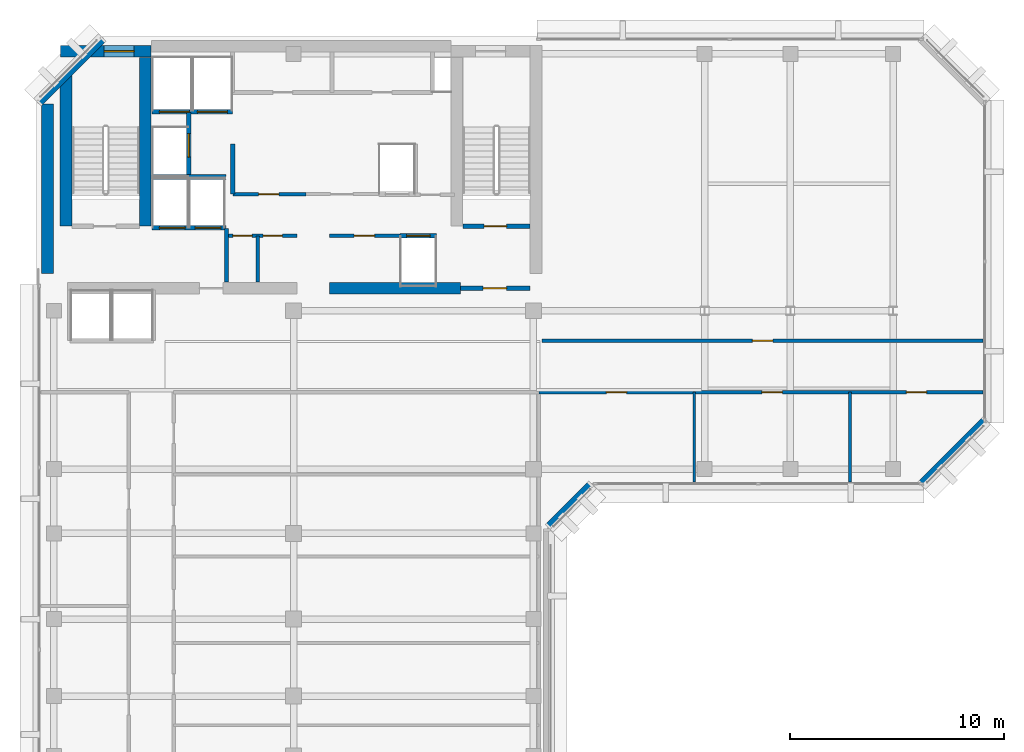
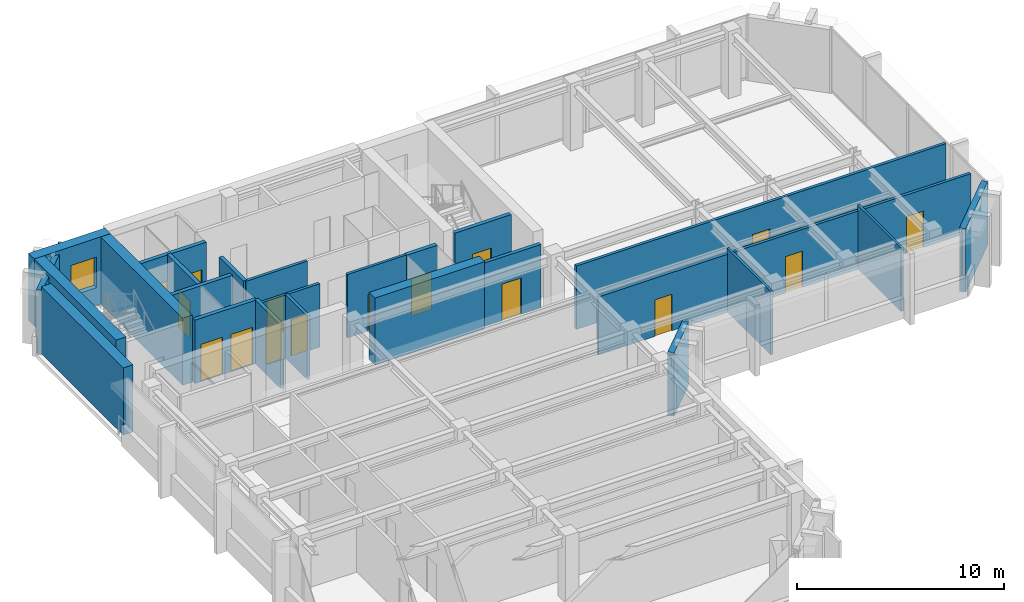
# One storey, part 7 of 11: 25 walls, 16 doors, 1 window, 17 openings.
"""IFC4 building model written with IfcOpenShell, lengths in metres."""

from ifc_helpers import new_model, si_unit, direction, frame, frame_2d, origin, place, context, subcontext, project, spatial, rectangle, extrude, material, layer, layer_set, type_object, element, fill, save


model = new_model("IFC4")

# Units and contexts
model_context = context("Model", 3, precision=1e-05, world=origin(), true_north=direction((0.0, 1.0)))
body_context = subcontext(model_context, "Body", "Model", "MODEL_VIEW")
ifc_project = project(units=[si_unit("LENGTHUNIT", "METRE"), si_unit("AREAUNIT", "SQUARE_METRE"), si_unit("VOLUMEUNIT", "CUBIC_METRE"), si_unit("PLANEANGLEUNIT", "RADIAN"), si_unit("MASSUNIT", "GRAM", prefix="KILO")], contexts=[model_context])

# Site, building, storey
site_placement = place(None, origin())
site = spatial("IfcSite", under=ifc_project, at=site_placement, CompositionType="ELEMENT")
building_placement = place(site_placement, origin())
building = spatial("IfcBuilding", under=site, at=building_placement, Name="Kefirva Bronze Tower", CompositionType="ELEMENT")
storey_placement = place(building_placement, frame((0.0, 0.0, 331.64990234375)))
storey = spatial("IfcBuildingStorey", under=building, at=storey_placement, Name="L81", CompositionType="ELEMENT", Elevation=331.64990234375)

# Walls
ifc_material_1 = material(Name="Gypsum acoustic partition")
ifc_layer_1 = layer(ifc_material_1, 0.1298828125, Name="Gypsum acoustic partition")
ifc_layer_set_1 = layer_set([ifc_layer_1], Name="Gypsum acoustic partition")
wall_type_1 = type_object("IfcWallType", Name="Acoustic Office Partition 130mm", PredefinedType="PARTITIONING", material=ifc_layer_set_1)
for number, where, z_axis, x_axis, name in (
    (1, (30.716064453125, 25.18994140625, 0.0), (0.0, 0.0, 1.0), (0.0, 1.0, 0.0), "L81 Partition W-L81-ESD1"),
    (2, (37.98193359375, 25.18994140625, 0.0), (0.0, 0.0, 1.0), (0.0, 1.0, 0.0), "L81 Partition W-L81-ESD2"),
):
    element("IfcWall", number, at=place(storey_placement, frame(where, z_axis=z_axis, x_axis=x_axis)), inside=storey, type_object=wall_type_1, Name=name, PredefinedType="PARTITIONING", context=body_context, shape_type="SweptSolid", body=[
        extrude(rectangle(XDim=4.2099609375, YDim=0.1298828125, at=frame_2d((2.10498046875, 0.0))), origin(), (0.0, 0.0, 1.0), 3.739990234375),
    ])

# Wall, opening, door
ifc_layer_2 = layer(ifc_material_1, 0.14990234375, Name="Gypsum acoustic partition")
ifc_layer_set_2 = layer_set([ifc_layer_2], Name="Gypsum acoustic partition")
wall_type_2 = type_object("IfcWallType", Name="Executive Suite Partition 150mm", PredefinedType="PARTITIONING", material=ifc_layer_set_2)
wall_1_placement = place(storey_placement, frame((13.679931640625, 36.699951171875, 0.0), z_axis=(0.0, 0.0, 1.0), x_axis=(1.0, 0.0, 0.0)))
wall_1 = element("IfcWall", 3, at=wall_1_placement, inside=storey, type_object=wall_type_2, Name="L81 Partition W-L81-RECMP1", PredefinedType="PARTITIONING", context=body_context, shape_type="SweptSolid", body=[
    extrude(rectangle(XDim=3.280029296875, YDim=0.14990234375, at=frame_2d((1.64013671875, 0.0))), origin(), (0.0, 0.0, 1.0), 3.739990234375),
])
opening_1_placement = place(wall_1_placement, frame((1.14990234375, 0.0, 0.0)))
opening_1 = element("IfcOpeningElement", 4, at=opening_1_placement, cuts=wall_1, Name="Opening L81-D-RECMP1", PredefinedType="OPENING", context=body_context, shape_type="SweptSolid", body=[
    extrude(rectangle(XDim=0.949951171875, YDim=2.14990234375, at=frame_2d((0.47509765625, 1.074951171875))), frame((0.0, 0.0849609375, 0.0), z_axis=(0.0, -1.0, 0.0), x_axis=(1.0, 0.0, 0.0)), (0.0, 0.0, 1.0), 0.169921875),
])
ifc_material_2 = material(Name="Acoustic hardwood oak", Category="wood")
door_type_1 = type_object("IfcDoorType", Name="Office & Meeting Room Door 950x2150", OperationType="NOTDEFINED", PredefinedType="DOOR", material=ifc_material_2)
door_1_placement = place(opening_1_placement, origin())
door_1 = element("IfcDoor", 5, at=door_1_placement, inside=storey, type_object=door_type_1, Name="Door L81-D-RECMP1", OperationType="SINGLE_SWING_LEFT", OverallHeight=2.14990234375, OverallWidth=0.949951171875, PredefinedType="DOOR", context=body_context, shape_type="SweptSolid", body=[
    extrude(rectangle(XDim=0.949951171875, YDim=2.14990234375, at=frame_2d((0.47509765625, 1.074951171875))), frame((0.0, 0.02490234375, 0.0), z_axis=(0.0, -1.0, 0.0), x_axis=(1.0, 0.0, 0.0)), (0.0, 0.0, 1.0), 0.050048828125),
])
fill(opening_1, door_1)

ifc_material_3 = material(Name="Gypsum fireboard shaftwall")
ifc_layer_3 = layer(ifc_material_3, 0.219970703125, Name="Gypsum fireboard shaftwall")
ifc_layer_set_3 = layer_set([ifc_layer_3], Name="Gypsum fireboard shaftwall")
wall_type_3 = type_object("IfcWallType", Name="Fire-Rated Shaft Enclosure Wall 220mm", PredefinedType="PARTITIONING", material=ifc_layer_set_3)
wall_2_placement = place(storey_placement, frame((19.89990234375, 37.14990234375, 0.0), z_axis=(0.0, 0.0, 1.0), x_axis=(1.0, 0.0, 0.0)))
wall_2 = element("IfcWall", 6, at=wall_2_placement, inside=storey, type_object=wall_type_3, Name="L81 Partition W-L81-ST2S", PredefinedType="PARTITIONING", context=body_context, shape_type="SweptSolid", body=[
    extrude(rectangle(XDim=3.150146484375, YDim=0.219970703125, at=frame_2d((1.5751953125, 0.0))), origin(), (0.0, 0.0, 1.0), 3.739990234375),
])
opening_2_placement = place(wall_2_placement, frame((2.050048828125, 0.0, 0.0), z_axis=(0.0, 0.0, 1.0), x_axis=(-1.0, 0.0, 0.0)))
opening_2 = element("IfcOpeningElement", 7, at=opening_2_placement, cuts=wall_2, Name="Opening L81-D003", PredefinedType="OPENING", context=body_context, shape_type="SweptSolid", body=[
    extrude(rectangle(XDim=1.050048828125, YDim=2.14990234375, at=frame_2d((0.52490234375, 1.074951171875))), frame((0.0, 0.1201171875, 0.0), z_axis=(0.0, -1.0, 0.0), x_axis=(1.0, 0.0, 0.0)), (0.0, 0.0, 1.0), 0.239990234375),
])
ifc_material_4 = material(Name="Painted galvanized steel", Category="steel")
door_type_2 = type_object("IfcDoorType", Name="Fire Stair Enclosure Door 1050x2150 FD90S", OperationType="NOTDEFINED", PredefinedType="DOOR", material=ifc_material_4)
door_2_placement = place(opening_2_placement, origin())
door_2 = element("IfcDoor", 8, at=door_2_placement, inside=storey, type_object=door_type_2, Name="Door L81-D003", OperationType="SINGLE_SWING_LEFT", OverallHeight=2.14990234375, OverallWidth=1.050048828125, PredefinedType="DOOR", context=body_context, shape_type="SweptSolid", body=[
    extrude(rectangle(XDim=1.050048828125, YDim=2.14990234375, at=frame_2d((0.52490234375, 1.074951171875))), frame((0.0, 0.02490234375, 0.0), z_axis=(0.0, -1.0, 0.0), x_axis=(1.0, 0.0, 0.0)), (0.0, 0.0, 1.0), 0.050048828125),
])
fill(opening_2, door_2)

# Wall, openings, doors
wall_3_placement = place(storey_placement, frame((5.3798828125, 37.080078125, 0.0), z_axis=(0.0, 0.0, 1.0), x_axis=(1.0, 0.0, 0.0)))
wall_3 = element("IfcWall", 9, at=wall_3_placement, inside=storey, type_object=wall_type_3, Name="L81 Partition W-L81-FFS", PredefinedType="PARTITIONING", context=body_context, shape_type="SweptSolid", body=[
    extrude(rectangle(XDim=3.460205078125, YDim=0.219970703125, at=frame_2d((1.72998046875, 0.0))), origin(), (0.0, 0.0, 1.0), 3.739990234375),
])
opening_3_placement = place(wall_3_placement, frame((1.550048828125, 0.0, 0.0), z_axis=(0.0, 0.0, 1.0), x_axis=(-1.0, 0.0, 0.0)))
opening_3 = element("IfcOpeningElement", 10, at=opening_3_placement, cuts=wall_3, Name="Opening L81-LD-FF1", PredefinedType="OPENING", context=body_context, shape_type="SweptSolid", body=[
    extrude(rectangle(XDim=1.199951171875, YDim=2.199951171875, at=frame_2d((0.60009765625, 1.10009765625))), frame((0.0, 0.1201171875, 0.0), z_axis=(0.0, -1.0, 0.0), x_axis=(1.0, 0.0, 0.0)), (0.0, 0.0, 1.0), 0.239990234375),
])
opening_4_placement = place(wall_3_placement, frame((3.219970703125, 0.0, 0.0), z_axis=(0.0, 0.0, 1.0), x_axis=(-1.0, 0.0, 0.0)))
opening_4 = element("IfcOpeningElement", 11, at=opening_4_placement, cuts=wall_3, Name="Opening L81-LD-FF2", PredefinedType="OPENING", context=body_context, shape_type="SweptSolid", body=[
    extrude(rectangle(XDim=1.199951171875, YDim=2.199951171875, at=frame_2d((0.60009765625, 1.10009765625))), frame((0.0, 0.1201171875, 0.0), z_axis=(0.0, -1.0, 0.0), x_axis=(1.0, 0.0, 0.0)), (0.0, 0.0, 1.0), 0.239990234375),
])
ifc_material_5 = material(Name="Stainless steel 316", Category="steel")
door_type_3 = type_object("IfcDoorType", Name="Firefighting Lift Sliding Door 1200x2200", OperationType="SLIDING_TO_RIGHT", PredefinedType="DOOR", material=ifc_material_5)
door_3_placement = place(opening_3_placement, origin())
door_3 = element("IfcDoor", 12, at=door_3_placement, inside=storey, type_object=door_type_3, Name="Door L81-LD-FF1", OperationType="SLIDING_TO_RIGHT", OverallHeight=2.199951171875, OverallWidth=1.199951171875, PredefinedType="DOOR", context=body_context, shape_type="SweptSolid", body=[
    extrude(rectangle(XDim=1.199951171875, YDim=2.199951171875, at=frame_2d((0.60009765625, 1.10009765625))), frame((0.0, 0.02490234375, 0.0), z_axis=(0.0, -1.0, 0.0), x_axis=(1.0, 0.0, 0.0)), (0.0, 0.0, 1.0), 0.050048828125),
])
fill(opening_3, door_3)
door_4_placement = place(opening_4_placement, origin())
door_4 = element("IfcDoor", 13, at=door_4_placement, inside=storey, type_object=door_type_3, Name="Door L81-LD-FF2", OperationType="SLIDING_TO_RIGHT", OverallHeight=2.199951171875, OverallWidth=1.199951171875, PredefinedType="DOOR", context=body_context, shape_type="SweptSolid", body=[
    extrude(rectangle(XDim=1.199951171875, YDim=2.199951171875, at=frame_2d((0.60009765625, 1.10009765625))), frame((0.0, 0.02490234375, 0.0), z_axis=(0.0, -1.0, 0.0), x_axis=(1.0, 0.0, 0.0)), (0.0, 0.0, 1.0), 0.050048828125),
])
fill(opening_4, door_4)

# Wall
wall_4_placement = place(storey_placement, frame((5.3798828125, 39.449951171875, 0.0), z_axis=(0.0, 0.0, 1.0), x_axis=(1.0, 0.0, 0.0)))
element("IfcWall", 14, at=wall_4_placement, inside=storey, type_object=wall_type_3, Name="L81 Partition W-L81-FFN", PredefinedType="PARTITIONING", context=body_context, shape_type="SweptSolid", body=[
    extrude(rectangle(XDim=3.460205078125, YDim=0.219970703125, at=frame_2d((1.72998046875, 0.0))), origin(), (0.0, 0.0, 1.0), 3.739990234375),
])

# Wall, openings, doors
wall_5_placement = place(storey_placement, frame((5.3798828125, 42.5, 0.0), z_axis=(0.0, 0.0, 1.0), x_axis=(1.0, 0.0, 0.0)))
wall_5 = element("IfcWall", 15, at=wall_5_placement, inside=storey, type_object=wall_type_3, Name="L81 Partition W-L81-SVS", PredefinedType="PARTITIONING", context=body_context, shape_type="SweptSolid", body=[
    extrude(rectangle(XDim=3.77001953125, YDim=0.219970703125, at=frame_2d((1.885009765625, 0.0))), origin(), (0.0, 0.0, 1.0), 3.739990234375),
])
opening_5_placement = place(wall_5_placement, frame((1.75, 0.0, 0.0), z_axis=(0.0, 0.0, 1.0), x_axis=(-1.0, 0.0, 0.0)))
opening_5 = element("IfcOpeningElement", 16, at=opening_5_placement, cuts=wall_5, Name="Opening L81-LD-SV1", PredefinedType="OPENING", context=body_context, shape_type="SweptSolid", body=[
    extrude(rectangle(XDim=1.39990234375, YDim=2.199951171875, at=frame_2d((0.699951171875, 1.10009765625))), frame((0.0, 0.1201171875, 0.0), z_axis=(0.0, -1.0, 0.0), x_axis=(1.0, 0.0, 0.0)), (0.0, 0.0, 1.0), 0.239990234375),
])
opening_6_placement = place(wall_5_placement, frame((3.52978515625, 0.0, 0.0), z_axis=(0.0, 0.0, 1.0), x_axis=(-1.0, 0.0, 0.0)))
opening_6 = element("IfcOpeningElement", 17, at=opening_6_placement, cuts=wall_5, Name="Opening L81-LD-SV2", PredefinedType="OPENING", context=body_context, shape_type="SweptSolid", body=[
    extrude(rectangle(XDim=1.39990234375, YDim=2.199951171875, at=frame_2d((0.699951171875, 1.10009765625))), frame((0.0, 0.1201171875, 0.0), z_axis=(0.0, -1.0, 0.0), x_axis=(1.0, 0.0, 0.0)), (0.0, 0.0, 1.0), 0.239990234375),
])
door_type_4 = type_object("IfcDoorType", Name="Goods Lift Bi-Parting Sliding Door 1400x2200", OperationType="SLIDING_TO_LEFT", PredefinedType="DOOR", material=ifc_material_5)
door_5_placement = place(opening_5_placement, origin())
door_5 = element("IfcDoor", 18, at=door_5_placement, inside=storey, type_object=door_type_4, Name="Door L81-LD-SV1", OperationType="SLIDING_TO_LEFT", OverallHeight=2.199951171875, OverallWidth=1.39990234375, PredefinedType="DOOR", context=body_context, shape_type="SweptSolid", body=[
    extrude(rectangle(XDim=1.39990234375, YDim=2.199951171875, at=frame_2d((0.699951171875, 1.10009765625))), frame((0.0, 0.02490234375, 0.0), z_axis=(0.0, -1.0, 0.0), x_axis=(1.0, 0.0, 0.0)), (0.0, 0.0, 1.0), 0.050048828125),
])
fill(opening_5, door_5)
door_6_placement = place(opening_6_placement, origin())
door_6 = element("IfcDoor", 19, at=door_6_placement, inside=storey, type_object=door_type_4, Name="Door L81-LD-SV2", OperationType="SLIDING_TO_LEFT", OverallHeight=2.199951171875, OverallWidth=1.39990234375, PredefinedType="DOOR", context=body_context, shape_type="SweptSolid", body=[
    extrude(rectangle(XDim=1.39990234375, YDim=2.199951171875, at=frame_2d((0.699951171875, 1.10009765625))), frame((0.0, 0.02490234375, 0.0), z_axis=(0.0, -1.0, 0.0), x_axis=(1.0, 0.0, 0.0)), (0.0, 0.0, 1.0), 0.050048828125),
])
fill(opening_6, door_6)

# Wall, opening, door
wall_6_placement = place(storey_placement, frame((7.10009765625, 39.52001953125, 0.0), z_axis=(0.0, 0.0, 1.0), x_axis=(0.0, 1.0, 0.0)))
wall_6 = element("IfcWall", 20, at=wall_6_placement, inside=storey, type_object=wall_type_3, Name="L81 Partition W-L81-HP3E", PredefinedType="PARTITIONING", context=body_context, shape_type="SweptSolid", body=[
    extrude(rectangle(XDim=2.929931640625, YDim=0.219970703125, at=frame_2d((1.46484375, 0.0))), origin(), (0.0, 0.0, 1.0), 3.739990234375),
])
opening_7_placement = place(wall_6_placement, frame((0.85009765625, 0.0, 0.0)))
opening_7 = element("IfcOpeningElement", 21, at=opening_7_placement, cuts=wall_6, Name="Opening L81-LD-HP3", PredefinedType="OPENING", context=body_context, shape_type="SweptSolid", body=[
    extrude(rectangle(XDim=1.10009765625, YDim=2.199951171875, at=frame_2d((0.550048828125, 1.10009765625))), frame((0.0, 0.1201171875, 0.0), z_axis=(0.0, -1.0, 0.0), x_axis=(1.0, 0.0, 0.0)), (0.0, 0.0, 1.0), 0.239990234375),
])
door_type_5 = type_object("IfcDoorType", Name="Passenger Lift Sliding Landing Door 1100x2200", OperationType="SLIDING_TO_LEFT", PredefinedType="DOOR", material=ifc_material_5)
door_7_placement = place(opening_7_placement, origin())
door_7 = element("IfcDoor", 22, at=door_7_placement, inside=storey, type_object=door_type_5, Name="Door L81-LD-HP3", OperationType="SLIDING_TO_LEFT", OverallHeight=2.199951171875, OverallWidth=1.10009765625, PredefinedType="DOOR", context=body_context, shape_type="SweptSolid", body=[
    extrude(rectangle(XDim=1.10009765625, YDim=2.199951171875, at=frame_2d((0.550048828125, 1.10009765625))), frame((0.0, 0.02490234375, 0.0), z_axis=(0.0, -1.0, 0.0), x_axis=(1.0, 0.0, 0.0)), (0.0, 0.0, 1.0), 0.050048828125),
])
fill(opening_7, door_7)

# Wall
wall_7_placement = place(storey_placement, frame((9.159912109375, 38.64990234375, 0.0), z_axis=(0.0, 0.0, 1.0), x_axis=(0.0, 1.0, 0.0)))
element("IfcWall", 23, at=wall_7_placement, inside=storey, type_object=wall_type_3, Name="L81 Partition W-L81-LP3W", PredefinedType="PARTITIONING", context=body_context, shape_type="SweptSolid", body=[
    extrude(rectangle(XDim=2.35009765625, YDim=0.199951171875, at=frame_2d((1.175048828125, 0.0))), origin(), (0.0, 0.0, 1.0), 3.739990234375),
])

# Wall, opening, door
wall_8_placement = place(storey_placement, frame((16.97998046875, 36.699951171875, 0.0), z_axis=(0.0, 0.0, 1.0), x_axis=(1.0, 0.0, 0.0)))
wall_8 = element("IfcWall", 24, at=wall_8_placement, inside=storey, type_object=wall_type_3, Name="L81 Partition W-L81-HPS", PredefinedType="PARTITIONING", context=body_context, shape_type="SweptSolid", body=[
    extrude(rectangle(XDim=1.699951171875, YDim=0.219970703125, at=frame_2d((0.85009765625, 0.0))), origin(), (0.0, 0.0, 1.0), 3.739990234375),
])
opening_8_placement = place(wall_8_placement, frame((0.300048828125, 0.0, 0.0)))
opening_8 = element("IfcOpeningElement", 25, at=opening_8_placement, cuts=wall_8, Name="Opening L81-LD-HP1", PredefinedType="OPENING", context=body_context, shape_type="SweptSolid", body=[
    extrude(rectangle(XDim=1.10009765625, YDim=2.199951171875, at=frame_2d((0.550048828125, 1.10009765625))), frame((0.0, 0.1201171875, 0.0), z_axis=(0.0, -1.0, 0.0), x_axis=(1.0, 0.0, 0.0)), (0.0, 0.0, 1.0), 0.239990234375),
])
door_8_placement = place(opening_8_placement, origin())
door_8 = element("IfcDoor", 26, at=door_8_placement, inside=storey, type_object=door_type_5, Name="Door L81-LD-HP1", OperationType="SLIDING_TO_LEFT", OverallHeight=2.199951171875, OverallWidth=1.10009765625, PredefinedType="DOOR", context=body_context, shape_type="SweptSolid", body=[
    extrude(rectangle(XDim=1.10009765625, YDim=2.199951171875, at=frame_2d((0.550048828125, 1.10009765625))), frame((0.0, 0.02490234375, 0.0), z_axis=(0.0, -1.0, 0.0), x_axis=(1.0, 0.0, 0.0)), (0.0, 0.0, 1.0), 0.050048828125),
])
fill(opening_8, door_8)

# Wall
ifc_material_6 = material(Name="Gypsum fireboard barrier")
ifc_layer_4 = layer(ifc_material_6, 0.199951171875, Name="Gypsum fireboard barrier")
ifc_layer_set_4 = layer_set([ifc_layer_4], Name="Gypsum fireboard barrier")
wall_type_4 = type_object("IfcWallType", Name="Firefighting Lobby Barrier Wall 200mm", PredefinedType="PARTITIONING", material=ifc_layer_set_4)
wall_9_placement = place(storey_placement, frame((8.860107421875, 34.550048828125, 0.0), z_axis=(0.0, 0.0, 1.0), x_axis=(0.0, 1.0, 0.0)))
element("IfcWall", 27, at=wall_9_placement, inside=storey, type_object=wall_type_4, Name="L81 Partition W-L81-FFLE", PredefinedType="PARTITIONING", context=body_context, shape_type="SweptSolid", body=[
    extrude(rectangle(XDim=2.5, YDim=0.199951171875, at=frame_2d((1.25, 0.0))), origin(), (0.0, 0.0, 1.0), 3.739990234375),
])

# Wall, opening, door
wall_10_placement = place(storey_placement, frame((19.800048828125, 34.25, 0.0), z_axis=(0.0, 0.0, 1.0), x_axis=(1.0, 0.0, 0.0)))
wall_10 = element("IfcWall", 28, at=wall_10_placement, inside=storey, type_object=wall_type_4, Name="L81 Partition W-L81-ST2F", PredefinedType="PARTITIONING", context=body_context, shape_type="SweptSolid", body=[
    extrude(rectangle(XDim=3.25, YDim=0.199951171875, at=frame_2d((1.625, 0.0))), origin(), (0.0, 0.0, 1.0), 3.739990234375),
])
opening_9_placement = place(wall_10_placement, frame((2.150146484375, 0.0, 0.0), z_axis=(0.0, 0.0, 1.0), x_axis=(-1.0, 0.0, 0.0)))
opening_9 = element("IfcOpeningElement", 29, at=opening_9_placement, cuts=wall_10, Name="Opening L81-D004", PredefinedType="OPENING", context=body_context, shape_type="SweptSolid", body=[
    extrude(rectangle(XDim=1.10009765625, YDim=2.14990234375, at=frame_2d((0.550048828125, 1.074951171875))), frame((0.0, 0.10986328125, 0.0), z_axis=(0.0, -1.0, 0.0), x_axis=(1.0, 0.0, 0.0)), (0.0, 0.0, 1.0), 0.219970703125),
])
door_type_6 = type_object("IfcDoorType", Name="Firefighting Lobby Smoke Door 1100x2150 FD60S", OperationType="NOTDEFINED", PredefinedType="DOOR", material=ifc_material_4)
door_9_placement = place(opening_9_placement, origin())
door_9 = element("IfcDoor", 30, at=door_9_placement, inside=storey, type_object=door_type_6, Name="Door L81-D004", OperationType="SINGLE_SWING_RIGHT", OverallHeight=2.14990234375, OverallWidth=1.10009765625, PredefinedType="DOOR", context=body_context, shape_type="SweptSolid", body=[
    extrude(rectangle(XDim=1.10009765625, YDim=2.14990234375, at=frame_2d((0.550048828125, 1.074951171875))), frame((0.0, 0.02490234375, 0.0), z_axis=(0.0, -1.0, 0.0), x_axis=(1.0, 0.0, 0.0)), (0.0, 0.0, 1.0), 0.050048828125),
])
fill(opening_9, door_9)

# Walls
ifc_material_7 = material(Name="Precast concrete C40/50", Category="concrete")
ifc_layer_5 = layer(ifc_material_7, 0.320068359375, Name="Precast concrete C40/50")
ifc_layer_set_5 = layer_set([ifc_layer_5], Name="Precast concrete C40/50")
wall_type_5 = type_object("IfcWallType", Name="Precast Insulated Exterior Wall 320mm", PredefinedType="SOLIDWALL", material=ifc_layer_set_5)
wall_11_placement = place(storey_placement, frame((23.92578125, 23.152099609375, 0.0), z_axis=(0.0, 0.0, 1.0), x_axis=(0.707106781187, 0.707106781187, 0.0)))
element("IfcWall", 31, at=wall_11_placement, inside=storey, type_object=wall_type_5, Name="L81 Exterior Facade Wall 3", PredefinedType="SOLIDWALL", context=body_context, shape_type="SweptSolid", body=[
    extrude(rectangle(XDim=2.71826171875, YDim=0.320068359375, at=frame_2d((1.359130859375, 0.0))), origin(), (0.0, 0.0, 1.0), 3.739990234375),
])
for number, where, z_axis, x_axis, name in (
    (32, (41.32568359375, 25.152099609375, 0.0), (0.0, 0.0, 1.0), (0.707136318428, 0.707077242712, 0.0), "L81 Exterior Facade Wall 4"),
    (33, (3.07421875, 45.847900390625, 0.0), (0.0, 0.0, 1.0), (-0.707106781187, -0.707106781187, 0.0), "L81 Exterior Facade Wall 6"),
):
    element("IfcWall", number, at=place(storey_placement, frame(where, z_axis=z_axis, x_axis=x_axis)), inside=storey, type_object=wall_type_5, Name=name, PredefinedType="SOLIDWALL", context=body_context, shape_type="SweptSolid", body=[
        extrude(rectangle(XDim=4.132568359375, YDim=0.320068359375, at=frame_2d((2.06640625, 0.0))), origin(), (0.0, 0.0, 1.0), 3.739990234375),
    ])

# Wall, openings, doors
ifc_layer_6 = layer(ifc_material_1, 0.159912109375, Name="Gypsum acoustic partition")
ifc_layer_set_6 = layer_set([ifc_layer_6], Name="Gypsum acoustic partition")
wall_type_6 = type_object("IfcWallType", Name="Protected Corridor Partition 160mm", PredefinedType="PARTITIONING", material=ifc_layer_set_6)
wall_12_placement = place(storey_placement, frame((8.89990234375, 36.699951171875, 0.0), z_axis=(0.0, 0.0, 1.0), x_axis=(1.0, 0.0, 0.0)))
wall_12 = element("IfcWall", 34, at=wall_12_placement, inside=storey, type_object=wall_type_6, Name="L81 Partition W-L81-RECLP1", PredefinedType="PARTITIONING", context=body_context, shape_type="SweptSolid", body=[
    extrude(rectangle(XDim=3.25, YDim=0.159912109375, at=frame_2d((1.625, 0.0))), origin(), (0.0, 0.0, 1.0), 3.739990234375),
])
opening_10_placement = place(wall_12_placement, frame((0.260009765625, 0.0, 0.0)))
opening_10 = element("IfcOpeningElement", 35, at=opening_10_placement, cuts=wall_12, Name="Opening L81-D-RECLP1A", PredefinedType="OPENING", context=body_context, shape_type="SweptSolid", body=[
    extrude(rectangle(XDim=0.89990234375, YDim=2.14990234375, at=frame_2d((0.449951171875, 1.074951171875))), frame((0.0, 0.08984375, 0.0), z_axis=(0.0, -1.0, 0.0), x_axis=(1.0, 0.0, 0.0)), (0.0, 0.0, 1.0), 0.179931640625),
])
opening_11_placement = place(wall_12_placement, frame((1.679931640625, 0.0, 0.0)))
opening_11 = element("IfcOpeningElement", 36, at=opening_11_placement, cuts=wall_12, Name="Opening L81-D-RECLP1B", PredefinedType="OPENING", context=body_context, shape_type="SweptSolid", body=[
    extrude(rectangle(XDim=0.89990234375, YDim=2.14990234375, at=frame_2d((0.449951171875, 1.074951171875))), frame((0.0, 0.08984375, 0.0), z_axis=(0.0, -1.0, 0.0), x_axis=(1.0, 0.0, 0.0)), (0.0, 0.0, 1.0), 0.179931640625),
])
door_type_7 = type_object("IfcDoorType", Name="Core Archive & Server Fire Door 900x2150 FD60S", OperationType="NOTDEFINED", PredefinedType="DOOR", material=ifc_material_4)
door_10_placement = place(opening_10_placement, origin())
door_10 = element("IfcDoor", 37, at=door_10_placement, inside=storey, type_object=door_type_7, Name="Door L81-D-RECLP1A", OperationType="SINGLE_SWING_RIGHT", OverallHeight=2.14990234375, OverallWidth=0.89990234375, PredefinedType="DOOR", context=body_context, shape_type="SweptSolid", body=[
    extrude(rectangle(XDim=0.89990234375, YDim=2.14990234375, at=frame_2d((0.449951171875, 1.074951171875))), frame((0.0, 0.02490234375, 0.0), z_axis=(0.0, -1.0, 0.0), x_axis=(1.0, 0.0, 0.0)), (0.0, 0.0, 1.0), 0.050048828125),
])
fill(opening_10, door_10)
door_11_placement = place(opening_11_placement, origin())
door_11 = element("IfcDoor", 38, at=door_11_placement, inside=storey, type_object=door_type_7, Name="Door L81-D-RECLP1B", OperationType="SINGLE_SWING_LEFT", OverallHeight=2.14990234375, OverallWidth=0.89990234375, PredefinedType="DOOR", context=body_context, shape_type="SweptSolid", body=[
    extrude(rectangle(XDim=0.89990234375, YDim=2.14990234375, at=frame_2d((0.449951171875, 1.074951171875))), frame((0.0, 0.02490234375, 0.0), z_axis=(0.0, -1.0, 0.0), x_axis=(1.0, 0.0, 0.0)), (0.0, 0.0, 1.0), 0.050048828125),
])
fill(opening_11, door_11)

# Wall
wall_13_placement = place(storey_placement, frame((10.320068359375, 34.550048828125, 0.0), z_axis=(0.0, 0.0, 1.0), x_axis=(0.0, 1.0, 0.0)))
element("IfcWall", 39, at=wall_13_placement, inside=storey, type_object=wall_type_6, Name="L81 Partition W-L81-RECLP1D", PredefinedType="PARTITIONING", context=body_context, shape_type="SweptSolid", body=[
    extrude(rectangle(XDim=2.14990234375, YDim=0.159912109375, at=frame_2d((1.074951171875, 0.0))), origin(), (0.0, 0.0, 1.0), 3.739990234375),
])

# Wall, opening, door
wall_14_placement = place(storey_placement, frame((9.159912109375, 38.64990234375, 0.0), z_axis=(0.0, 0.0, 1.0), x_axis=(1.0, 0.0, 0.0)))
wall_14 = element("IfcWall", 40, at=wall_14_placement, inside=storey, type_object=wall_type_6, Name="L81 Partition W-L81-RECLP2", PredefinedType="PARTITIONING", context=body_context, shape_type="SweptSolid", body=[
    extrude(rectangle(XDim=3.420166015625, YDim=0.159912109375, at=frame_2d((1.7099609375, 0.0))), origin(), (0.0, 0.0, 1.0), 3.739990234375),
])
opening_12_placement = place(wall_14_placement, frame((2.14990234375, 0.0, 0.0), z_axis=(0.0, 0.0, 1.0), x_axis=(-1.0, 0.0, 0.0)))
opening_12 = element("IfcOpeningElement", 41, at=opening_12_placement, cuts=wall_14, Name="Opening L81-D-RECLP2", PredefinedType="OPENING", context=body_context, shape_type="SweptSolid", body=[
    extrude(rectangle(XDim=0.949951171875, YDim=2.14990234375, at=frame_2d((0.47509765625, 1.074951171875))), frame((0.0, 0.08984375, 0.0), z_axis=(0.0, -1.0, 0.0), x_axis=(1.0, 0.0, 0.0)), (0.0, 0.0, 1.0), 0.179931640625),
])
door_12_placement = place(opening_12_placement, origin())
door_12 = element("IfcDoor", 42, at=door_12_placement, inside=storey, type_object=door_type_1, Name="Door L81-D-RECLP2", OperationType="SINGLE_SWING_RIGHT", OverallHeight=2.14990234375, OverallWidth=0.949951171875, PredefinedType="DOOR", context=body_context, shape_type="SweptSolid", body=[
    extrude(rectangle(XDim=0.949951171875, YDim=2.14990234375, at=frame_2d((0.47509765625, 1.074951171875))), frame((0.0, 0.02490234375, 0.0), z_axis=(0.0, -1.0, 0.0), x_axis=(1.0, 0.0, 0.0)), (0.0, 0.0, 1.0), 0.050048828125),
])
fill(opening_12, door_12)

# Wall, openings, doors
wall_15_placement = place(storey_placement, frame((23.449951171875, 29.39990234375, 0.0), z_axis=(0.0, 0.0, 1.0), x_axis=(1.0, 0.0, 0.0)))
wall_15 = element("IfcWall", 43, at=wall_15_placement, inside=storey, type_object=wall_type_6, Name="L81 Partition W-L81-EWS", PredefinedType="PARTITIONING", context=body_context, shape_type="SweptSolid", body=[
    extrude(rectangle(XDim=20.760009765625, YDim=0.159912109375, at=frame_2d((10.3798828125, 0.0))), origin(), (0.0, 0.0, 1.0), 3.425048828125),
])
opening_13_placement = place(wall_15_placement, frame((4.10791015625, 0.0, 0.0), z_axis=(0.0, 0.0, 1.0), x_axis=(-1.0, 0.0, 0.0)))
opening_13 = element("IfcOpeningElement", 44, at=opening_13_placement, cuts=wall_15, Name="Opening L81-D-ES1", PredefinedType="OPENING", context=body_context, shape_type="SweptSolid", body=[
    extrude(rectangle(XDim=0.949951171875, YDim=2.14990234375, at=frame_2d((0.47509765625, 1.074951171875))), frame((0.0, 0.08984375, 0.0), z_axis=(0.0, -1.0, 0.0), x_axis=(1.0, 0.0, 0.0)), (0.0, 0.0, 1.0), 0.179931640625),
])
opening_14_placement = place(wall_15_placement, frame((11.3740234375, 0.0, 0.0), z_axis=(0.0, 0.0, 1.0), x_axis=(-1.0, 0.0, 0.0)))
opening_14 = element("IfcOpeningElement", 45, at=opening_14_placement, cuts=wall_15, Name="Opening L81-D-ES2", PredefinedType="OPENING", context=body_context, shape_type="SweptSolid", body=[
    extrude(rectangle(XDim=0.949951171875, YDim=2.14990234375, at=frame_2d((0.47509765625, 1.074951171875))), frame((0.0, 0.08984375, 0.0), z_axis=(0.0, -1.0, 0.0), x_axis=(1.0, 0.0, 0.0)), (0.0, 0.0, 1.0), 0.179931640625),
])
opening_15_placement = place(wall_15_placement, frame((18.120849609375, 0.0, 0.0), z_axis=(0.0, 0.0, 1.0), x_axis=(-1.0, 0.0, 0.0)))
opening_15 = element("IfcOpeningElement", 46, at=opening_15_placement, cuts=wall_15, Name="Opening L81-D-ES3", PredefinedType="OPENING", context=body_context, shape_type="SweptSolid", body=[
    extrude(rectangle(XDim=0.949951171875, YDim=2.14990234375, at=frame_2d((0.47509765625, 1.074951171875))), frame((0.0, 0.08984375, 0.0), z_axis=(0.0, -1.0, 0.0), x_axis=(1.0, 0.0, 0.0)), (0.0, 0.0, 1.0), 0.179931640625),
])
door_13_placement = place(opening_13_placement, origin())
door_13 = element("IfcDoor", 47, at=door_13_placement, inside=storey, type_object=door_type_1, Name="Door L81-D-ES1", OperationType="SINGLE_SWING_LEFT", OverallHeight=2.14990234375, OverallWidth=0.949951171875, PredefinedType="DOOR", context=body_context, shape_type="SweptSolid", body=[
    extrude(rectangle(XDim=0.949951171875, YDim=2.14990234375, at=frame_2d((0.47509765625, 1.074951171875))), frame((0.0, 0.02490234375, 0.0), z_axis=(0.0, -1.0, 0.0), x_axis=(1.0, 0.0, 0.0)), (0.0, 0.0, 1.0), 0.050048828125),
])
fill(opening_13, door_13)
door_14_placement = place(opening_14_placement, origin())
door_14 = element("IfcDoor", 48, at=door_14_placement, inside=storey, type_object=door_type_1, Name="Door L81-D-ES2", OperationType="SINGLE_SWING_RIGHT", OverallHeight=2.14990234375, OverallWidth=0.949951171875, PredefinedType="DOOR", context=body_context, shape_type="SweptSolid", body=[
    extrude(rectangle(XDim=0.949951171875, YDim=2.14990234375, at=frame_2d((0.47509765625, 1.074951171875))), frame((0.0, 0.02490234375, 0.0), z_axis=(0.0, -1.0, 0.0), x_axis=(1.0, 0.0, 0.0)), (0.0, 0.0, 1.0), 0.050048828125),
])
fill(opening_14, door_14)
door_15_placement = place(opening_15_placement, origin())
door_15 = element("IfcDoor", 49, at=door_15_placement, inside=storey, type_object=door_type_1, Name="Door L81-D-ES3", OperationType="SINGLE_SWING_LEFT", OverallHeight=2.14990234375, OverallWidth=0.949951171875, PredefinedType="DOOR", context=body_context, shape_type="SweptSolid", body=[
    extrude(rectangle(XDim=0.949951171875, YDim=2.14990234375, at=frame_2d((0.47509765625, 1.074951171875))), frame((0.0, 0.02490234375, 0.0), z_axis=(0.0, -1.0, 0.0), x_axis=(1.0, 0.0, 0.0)), (0.0, 0.0, 1.0), 0.050048828125),
])
fill(opening_15, door_15)

# Wall, opening, door
wall_16_placement = place(storey_placement, frame((23.60009765625, 31.800048828125, 0.0), z_axis=(0.0, 0.0, 1.0), x_axis=(1.0, 0.0, 0.0)))
wall_16 = element("IfcWall", 50, at=wall_16_placement, inside=storey, type_object=wall_type_6, Name="L81 Partition W-L81-EWN", PredefinedType="PARTITIONING", context=body_context, shape_type="SweptSolid", body=[
    extrude(rectangle(XDim=20.60986328125, YDim=0.159912109375, at=frame_2d((10.304931640625, 0.0))), origin(), (0.0, 0.0, 1.0), 3.739990234375),
])
opening_16_placement = place(wall_16_placement, frame((9.830078125, 0.0, 0.0)))
opening_16 = element("IfcOpeningElement", 51, at=opening_16_placement, cuts=wall_16, Name="Opening L81-D-EN1", PredefinedType="OPENING", context=body_context, shape_type="SweptSolid", body=[
    extrude(rectangle(XDim=0.949951171875, YDim=2.14990234375, at=frame_2d((0.47509765625, 1.074951171875))), frame((0.0, 0.08984375, 0.0), z_axis=(0.0, -1.0, 0.0), x_axis=(1.0, 0.0, 0.0)), (0.0, 0.0, 1.0), 0.179931640625),
])
door_16_placement = place(opening_16_placement, origin())
door_16 = element("IfcDoor", 52, at=door_16_placement, inside=storey, type_object=door_type_1, Name="Door L81-D-EN1", OperationType="SINGLE_SWING_RIGHT", OverallHeight=2.14990234375, OverallWidth=0.949951171875, PredefinedType="DOOR", context=body_context, shape_type="SweptSolid", body=[
    extrude(rectangle(XDim=0.949951171875, YDim=2.14990234375, at=frame_2d((0.47509765625, 1.074951171875))), frame((0.0, 0.02490234375, 0.0), z_axis=(0.0, -1.0, 0.0), x_axis=(1.0, 0.0, 0.0)), (0.0, 0.0, 1.0), 0.050048828125),
])
fill(opening_16, door_16)

# Wall
ifc_material_8 = material(Name="Concrete C50/60", Category="concrete")
ifc_layer_7 = layer(ifc_material_8, 0.550048828125, Name="Concrete C50/60")
ifc_layer_set_7 = layer_set([ifc_layer_7], Name="Concrete C50/60")
wall_type_7 = type_object("IfcWallType", Name="RC Rear Core Exterior Wall 550mm", PredefinedType="SHEAR", material=ifc_layer_set_7)
wall_17_placement = place(storey_placement, frame((0.5, 34.949951171875, 0.0), z_axis=(0.0, 0.0, 1.0), x_axis=(0.0, 1.0, 0.0)))
element("IfcWall", 53, at=wall_17_placement, inside=storey, type_object=wall_type_7, Name="L81 Rear Core West Shear Wall", PredefinedType="SHEAR", context=body_context, shape_type="SweptSolid", body=[
    extrude(rectangle(XDim=7.900146484375, YDim=0.550048828125, at=frame_2d((3.9501953125, 0.0))), origin(), (0.0, 0.0, 1.0), 3.960205078125),
])

# Wall, opening, window
wall_18_placement = place(storey_placement, frame((1.10009765625, 45.320068359375, 0.0), z_axis=(0.0, 0.0, 1.0), x_axis=(1.0, 0.0, 0.0)))
wall_18 = element("IfcWall", 54, at=wall_18_placement, inside=storey, type_object=wall_type_7, Name="L81 Stair 1 North Shear Wall", PredefinedType="SHEAR", context=body_context, shape_type="SweptSolid", body=[
    extrude(rectangle(XDim=4.239990234375, YDim=0.550048828125, at=frame_2d((2.1201171875, 0.0))), origin(), (0.0, 0.0, 1.0), 3.960205078125),
])
opening_17_placement = place(wall_18_placement, frame((2.050048828125, 0.0, 1.050048828125)))
opening_17 = element("IfcOpeningElement", 55, at=opening_17_placement, cuts=wall_18, Name="Opening WN-03", PredefinedType="OPENING", context=body_context, shape_type="SweptSolid", body=[
    extrude(rectangle(XDim=1.39990234375, YDim=1.800048828125, at=frame_2d((0.699951171875, 0.89990234375))), frame((0.0, 0.28515625, 0.0), z_axis=(0.0, -1.0, 0.0), x_axis=(1.0, 0.0, 0.0)), (0.0, 0.0, 1.0), 0.570068359375),
])
ifc_material_9 = material(Name="Laminated low-E double glazing", Category="glass")
window_type = type_object("IfcWindowType", Name="Rear-Core Stair Daylight Window 1400x1800", PartitioningType="SINGLE_PANEL", PredefinedType="WINDOW", material=ifc_material_9)
window_placement = place(opening_17_placement, origin())
window = element("IfcWindow", 56, at=window_placement, inside=storey, type_object=window_type, Name="L81 Stair 1 Daylight Window", OverallHeight=1.800048828125, OverallWidth=1.39990234375, PartitioningType="SINGLE_PANEL", PredefinedType="WINDOW", context=body_context, shape_type="SweptSolid", body=[
    extrude(rectangle(XDim=1.39990234375, YDim=1.800048828125, at=frame_2d((0.699951171875, 0.89990234375))), frame((0.0, 0.030029296875, 0.0), z_axis=(0.0, -1.0, 0.0), x_axis=(1.0, 0.0, 0.0)), (0.0, 0.0, 1.0), 0.06005859375),
])
fill(opening_17, window)

# Walls
ifc_layer_8 = layer(ifc_material_8, 0.550048828125, Name="Concrete C50/60")
ifc_layer_set_8 = layer_set([ifc_layer_8], Name="Concrete C50/60")
wall_type_8 = type_object("IfcWallType", Name="RC Rear Core Interior Wall 550mm", PredefinedType="SHEAR", material=ifc_layer_set_8)
wall_19_placement = place(storey_placement, frame((13.679931640625, 34.25, 0.0), z_axis=(0.0, 0.0, 1.0), x_axis=(1.0, 0.0, 0.0)))
element("IfcWall", 57, at=wall_19_placement, inside=storey, type_object=wall_type_8, Name="L81 Rear Core South-East Shear Wall", PredefinedType="SHEAR", context=body_context, shape_type="SweptSolid", body=[
    extrude(rectangle(XDim=6.1201171875, YDim=0.550048828125, at=frame_2d((3.06005859375, 0.0))), origin(), (0.0, 0.0, 1.0), 3.960205078125),
])
for number, where, z_axis, x_axis, name in (
    (58, (1.3701171875, 37.14990234375, 0.0), (0.0, 0.0, 1.0), (0.0, 1.0, 0.0), "L81 Stair 1 West Shear Wall"),
    (59, (5.070068359375, 37.14990234375, 0.0), (0.0, 0.0, 1.0), (0.0, 1.0, 0.0), "L81 Stair 1 East Shear Wall"),
):
    element("IfcWall", number, at=place(storey_placement, frame(where, z_axis=z_axis, x_axis=x_axis)), inside=storey, type_object=wall_type_8, Name=name, PredefinedType="SHEAR", context=body_context, shape_type="SweptSolid", body=[
        extrude(rectangle(XDim=7.89013671875, YDim=0.550048828125, at=frame_2d((3.945068359375, 0.0))), origin(), (0.0, 0.0, 1.0), 3.960205078125),
    ])

save(model, "model.ifc")
